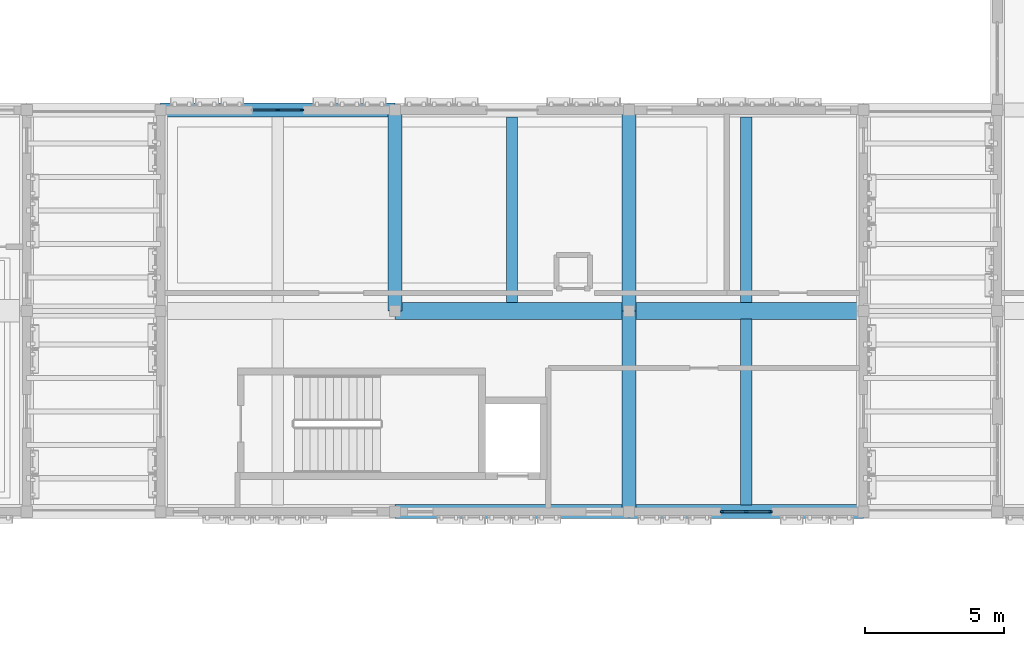
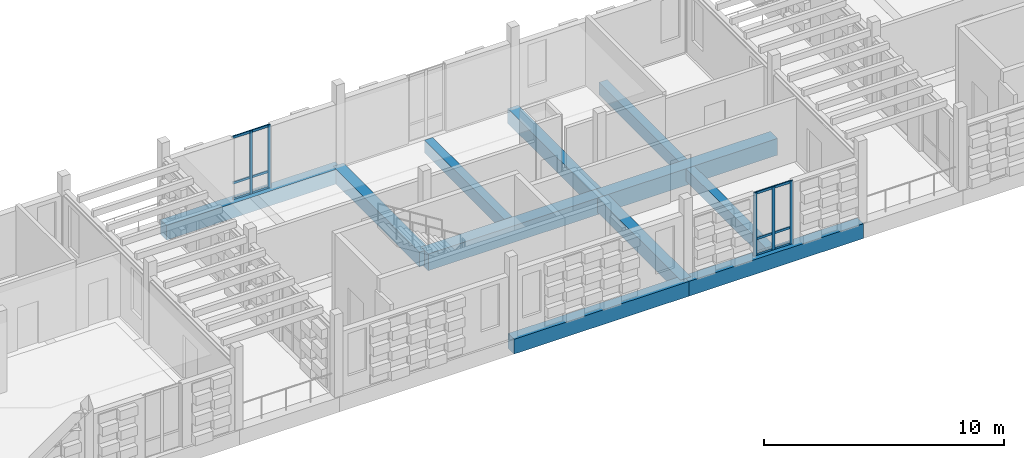
# One storey, part 24 of 99: 11 beams, 11 members, 2 elements without a shape of their own.
"""IFC4 building model written with IfcOpenShell, lengths in metres."""

import ifcopenshell
import ifcopenshell.guid

model = None  # the IFC model being written
_history = None  # IfcOwnerHistory: only IFC2X3 demands one
_inside = {}  # id of a spatial element -> (the spatial element, [elements in it])
_under = {}  # id of a project, library or spatial element -> (it, [spatial elements below it])
_declared = {}  # id of a project -> (the project, [libraries it declares])
_typed = {}  # id of a type object -> (the type object, [elements of that type])
_made_of = {}  # id of a material, layer set ... -> (it, [elements and type objects made of it])


def new_model(schema):
    """Start an empty IFC model of exactly this schema.

    Asked for "IFC4X3", IfcOpenShell would pick the latest addendum, in which some entities
    have other attributes; the version numbers below select the first issue.
    IFC2X3 requires an IfcOwnerHistory on every rooted entity: one is made here for all.
    """
    global model, _history
    if schema == "IFC4X3":
        model = ifcopenshell.file(schema_version=(4, 3, 0, 0))
    else:
        model = ifcopenshell.file(schema=schema)
    _inside.clear()
    _under.clear()
    _declared.clear()
    _typed.clear()
    _made_of.clear()
    _history = None
    if model.schema == "IFC2X3":
        org = make("IfcOrganization", Name="unknown")
        user = make(
            "IfcPersonAndOrganization",
            ThePerson=make("IfcPerson", FamilyName="unknown"),
            TheOrganization=org,
        )
        app = make(
            "IfcApplication",
            ApplicationDeveloper=org,
            Version="unknown",
            ApplicationFullName="unknown",
            ApplicationIdentifier="unknown",
        )
        _history = make(
            "IfcOwnerHistory",
            OwningUser=user,
            OwningApplication=app,
            ChangeAction="ADDED",
            CreationDate=0,
        )
    return model


def make(cls, **values):
    """One entity of the class cls with the attributes given. An attribute that is None is left unset."""
    return model.create_entity(
        cls, **{name: value for name, value in values.items() if value is not None}
    )


def rooted(cls, **values):
    """An entity with a GlobalId (a new one), such as an element, a storey or a relation."""
    return make(cls, GlobalId=ifcopenshell.guid.new(), OwnerHistory=_history, **values)


def si_unit(unit_type, name, prefix=None):
    """IfcSIUnit, for example si_unit("LENGTHUNIT", "METRE", prefix="MILLI")."""
    return make("IfcSIUnit", UnitType=unit_type, Prefix=prefix, Name=name)


def assignment(units):
    """IfcUnitAssignment: the units of a project."""
    return None if units is None else make("IfcUnitAssignment", Units=units)


def point(xyz):
    """IfcCartesianPoint."""
    return None if xyz is None else make("IfcCartesianPoint", Coordinates=xyz)


def direction(xyz):
    """IfcDirection."""
    return None if xyz is None else make("IfcDirection", DirectionRatios=xyz)


def frame(location, z_axis=None, x_axis=None):
    """IfcAxis2Placement3D, a coordinate frame: its origin and axes. An axis left out is left unset."""
    return make(
        "IfcAxis2Placement3D",
        Location=point(location),
        Axis=direction(z_axis),
        RefDirection=direction(x_axis),
    )


def frame_2d(location, x_axis=None):
    """IfcAxis2Placement2D, a coordinate frame in the plane: its origin and x axis."""
    return make(
        "IfcAxis2Placement2D", Location=point(location), RefDirection=direction(x_axis)
    )


def origin():
    """The frame at (0, 0, 0) with its axes left unset."""
    return frame((0.0, 0.0, 0.0))


def origin_2d():
    """The frame at (0, 0) in the plane with its x axis left unset."""
    return frame_2d((0.0, 0.0))


def place(relative_to, where):
    """IfcLocalPlacement: puts the frame where relative to a parent placement (None: the world)."""
    return make(
        "IfcLocalPlacement", PlacementRelTo=relative_to, RelativePlacement=where
    )


def context(
    kind, dimensions, precision=None, world=None, true_north=None, identifier=None
):
    """IfcGeometricRepresentationContext, for example the 3D "Model" context."""
    return make(
        "IfcGeometricRepresentationContext",
        ContextIdentifier=identifier,
        ContextType=kind,
        CoordinateSpaceDimension=dimensions,
        Precision=precision,
        WorldCoordinateSystem=world,
        TrueNorth=true_north,
    )


def subcontext(parent, identifier, kind, view, scale=None):
    """IfcGeometricRepresentationSubContext, for example "Body" below "Model"."""
    return make(
        "IfcGeometricRepresentationSubContext",
        ContextIdentifier=identifier,
        ContextType=kind,
        ParentContext=parent,
        TargetScale=scale,
        TargetView=view,
    )


def project(units=None, contexts=None):
    """IfcProject with its units and contexts."""
    return rooted(
        "IfcProject",
        Name="project",
        RepresentationContexts=contexts,
        UnitsInContext=assignment(units),
    )


def spatial(cls, under=None, at=None, **own):
    """A site, building, storey or space (cls), placed at a placement, below another one or the project."""
    s = rooted(cls, ObjectPlacement=at, **own)
    if under is not None:
        _under.setdefault(under.id(), (under, []))[1].append(s)
    return s


def profile(cls, at=None, kind="AREA", **sizes):
    """A parametric profile (cls). Its sizes go by their IFC names, for example OverallWidth=200.0."""
    return make(cls, ProfileType=kind, Position=at, **sizes)


def rectangle(**sizes):
    """IfcRectangleProfileDef."""
    return profile("IfcRectangleProfileDef", **sizes)


def extrude(swept, where, along, depth):
    """IfcExtrudedAreaSolid: the profile swept, set in the frame where, extruded along a direction by depth."""
    return make(
        "IfcExtrudedAreaSolid",
        SweptArea=swept,
        Position=where,
        ExtrudedDirection=direction(along),
        Depth=depth,
    )


def shape(context_of_items, identifier, shape_type, items):
    """IfcShapeRepresentation: the items that make up one representation, for example the "Body"."""
    return make(
        "IfcShapeRepresentation",
        ContextOfItems=context_of_items,
        RepresentationIdentifier=identifier,
        RepresentationType=shape_type,
        Items=items,
    )


def material(Name=None, Category=None):
    """IfcMaterial."""
    return make("IfcMaterial", Name=Name, Category=Category)


def material_profile(
    of_material, cross_section, Name=None, Category=None, Priority=None
):
    """IfcMaterialProfile: a cross section and its material."""
    return make(
        "IfcMaterialProfile",
        Name=Name,
        Material=of_material,
        Profile=cross_section,
        Priority=Priority,
        Category=Category,
    )


def profile_set(profiles, Name=None, composite=None):
    """IfcMaterialProfileSet."""
    return make(
        "IfcMaterialProfileSet",
        Name=Name,
        MaterialProfiles=profiles,
        CompositeProfile=composite,
    )


def made_of(thing, what):
    """Note that an element or type object is made of a material, layer set ...; save() writes the relation."""
    if what is not None:
        _made_of.setdefault(what.id(), (what, []))[1].append(thing)
    return thing


def type_object(cls, material=None, **own):
    """A type object (cls), such as IfcWallType, which elements share."""
    return made_of(rooted(cls, **own), material)


def element(
    cls,
    number,
    at=None,
    inside=None,
    cuts=None,
    type_object=None,
    material=None,
    context=None,
    identifier="Body",
    shape_type=None,
    held_by="IfcProductDefinitionShape",
    body=None,
    shapes=None,
    **own,
):
    """One element of the class cls, such as IfcWall. Its Tag is "e" and its number.

    at: its placement. inside: the storey or other place that contains it. cuts: it is an
    opening in that element (IfcRelVoidsElement). A single representation is given by context,
    identifier, shape_type and body (its items); several are given by shapes. held_by: the class
    of the entity that holds the representations. save() writes the other relations.
    """
    e = rooted(cls, Tag="e%d" % number, ObjectPlacement=at, **own)
    if body is not None:
        shapes = [shape(context, identifier, shape_type, body)]
    if shapes is not None:
        e.Representation = make(held_by, Representations=shapes)
    if inside is not None:
        _inside.setdefault(inside.id(), (inside, []))[1].append(e)
    if cuts is not None:
        rooted(
            "IfcRelVoidsElement", RelatingBuildingElement=cuts, RelatedOpeningElement=e
        )
    if type_object is not None:
        _typed.setdefault(type_object.id(), (type_object, []))[1].append(e)
    return made_of(e, material)


def aggregate(whole, parts):
    """IfcRelAggregates: a whole, such as a stair, and the parts it consists of."""
    return rooted("IfcRelAggregates", RelatingObject=whole, RelatedObjects=parts)


def save(model, path):
    """Write the relations noted so far, then the file.

    IfcRelAggregates (storeys below a building ...), IfcRelContainedInSpatialStructure (elements
    in a storey), IfcRelDefinesByType, IfcRelAssociatesMaterial and IfcRelDeclares: one each for
    every whole, place, type object, material and project.
    """
    for whole, parts in _under.values():
        aggregate(whole, parts)
    for where, things in _inside.values():
        rooted(
            "IfcRelContainedInSpatialStructure",
            RelatedElements=things,
            RelatingStructure=where,
        )
    for kind, things in _typed.values():
        rooted("IfcRelDefinesByType", RelatedObjects=things, RelatingType=kind)
    for what, things in _made_of.values():
        rooted("IfcRelAssociatesMaterial", RelatedObjects=things, RelatingMaterial=what)
    for by, libraries in _declared.values():
        rooted("IfcRelDeclares", RelatingContext=by, RelatedDefinitions=libraries)
    model.write(path)


model = new_model("IFC4")

# Units and contexts
model_context = context("Model", 3, precision=1e-05, world=origin(), true_north=direction((0.0, 1.0)))
body_context = subcontext(model_context, "Body", "Model", "MODEL_VIEW")
ifc_project = project(units=[si_unit("LENGTHUNIT", "METRE"), si_unit("AREAUNIT", "SQUARE_METRE"), si_unit("VOLUMEUNIT", "CUBIC_METRE"), si_unit("PLANEANGLEUNIT", "RADIAN"), si_unit("MASSUNIT", "GRAM", prefix="KILO")], contexts=[model_context])

# Site, building, storey
site_placement = place(None, origin())
site = spatial("IfcSite", under=ifc_project, at=site_placement, CompositionType="ELEMENT")
building_placement = place(site_placement, origin())
building = spatial("IfcBuilding", under=site, at=building_placement, Name="Kahlenmark Community Centre", CompositionType="ELEMENT")
storey_placement = place(building_placement, frame((0.0, 0.0, 5.39990234375)))
storey = spatial("IfcBuildingStorey", under=building, at=storey_placement, Name="L01", CompositionType="ELEMENT", Elevation=5.39990234375)

# Beams
ifc_material_1 = material(Name="Concrete C35/45", Category="concrete")
ifc_material_profile_1 = material_profile(ifc_material_1, rectangle(XDim=0.5, YDim=0.75, at=origin_2d()), Name="RC 500x750")
ifc_profile_set_1 = profile_set([ifc_material_profile_1], Name="Concrete C35/45")
beam_type_1 = type_object("IfcBeamType", Name="BT-BEAM-RC500x750", PredefinedType="BEAM", material=ifc_profile_set_1)
for number, where, z_axis, x_axis, name in (
    (1, (100.0, 16.0, -0.375), (0.0, 1.0, 0.0), (-1.0, 0.0, 0.0), "L01 beam BG-RC500x750"),
    (2, (108.39990234375, 8.800048828125, -0.375), (0.0, 1.0, 0.0), (-1.0, 0.0, 0.0), "L01 beam BG-RC500x750"),
    (3, (108.39990234375, 16.0, -0.375), (0.0, 1.0, 0.0), (-1.0, 0.0, 0.0), "L01 beam BG-RC500x750"),
):
    element("IfcBeam", number, at=place(storey_placement, frame(where, z_axis=z_axis, x_axis=x_axis)), inside=storey, type_object=beam_type_1, Name=name, PredefinedType="BEAM", context=body_context, shape_type="SweptSolid", body=[
        extrude(rectangle(XDim=0.5, YDim=0.75, at=origin_2d()), origin(), (0.0, 0.0, 1.0), 7.199951171875),
    ])
ifc_material_profile_2 = material_profile(ifc_material_1, rectangle(XDim=0.60009765625, YDim=0.85009765625, at=origin_2d()), Name="RC 600x850")
ifc_profile_set_2 = profile_set([ifc_material_profile_2], Name="Concrete C35/45")
beam_type_2 = type_object("IfcBeamType", Name="BT-BEAM-RC600x850", PredefinedType="BEAM", material=ifc_profile_set_2)
beam_1_placement = place(storey_placement, frame((100.0, 16.0, -0.4248046875), z_axis=(1.0, 0.0, 0.0), x_axis=(0.0, 1.0, 0.0)))
element("IfcBeam", 4, at=beam_1_placement, inside=storey, type_object=beam_type_2, Name="L01 beam BG-RC600x850", PredefinedType="BEAM", context=body_context, shape_type="SweptSolid", body=[
    extrude(rectangle(XDim=0.60009765625, YDim=0.85009765625, at=origin_2d()), origin(), (0.0, 0.0, 1.0), 8.39990234375),
])
beam_2_placement = place(storey_placement, frame((108.39990234375, 16.0, -0.4248046875), z_axis=(1.0, 0.0, 0.0), x_axis=(0.0, 1.0, 0.0)))
element("IfcBeam", 5, at=beam_2_placement, inside=storey, type_object=beam_type_2, Name="L01 beam BG-RC600x850", PredefinedType="BEAM", context=body_context, shape_type="SweptSolid", body=[
    extrude(rectangle(XDim=0.60009765625, YDim=0.85009765625, at=origin_2d()), origin(), (0.0, 0.0, 1.0), 8.400146484375),
])
ifc_material_profile_3 = material_profile(ifc_material_1, rectangle(XDim=0.39990234375, YDim=0.64990234375, at=origin_2d()), Name="RC 400x650")
ifc_profile_set_3 = profile_set([ifc_material_profile_3], Name="Concrete C35/45")
beam_type_3 = type_object("IfcBeamType", Name="BT-JOIST-RC400x650", PredefinedType="JOIST", material=ifc_profile_set_3)
for number, where, z_axis, x_axis, name in (
    (6, (104.199951171875, 16.298095703125, -0.324951171875), (0.0, 1.0, 0.0), (-1.0, 0.0, 0.0), "L01 joist BJ-RC400x650"),
    (7, (112.60009765625, 9.048095703125, -0.324951171875), (0.0, 1.0, 0.0), (-1.0, 0.0, 0.0), "L01 joist BJ-RC400x650"),
    (8, (112.60009765625, 16.298095703125, -0.324951171875), (0.0, 1.0, 0.0), (-1.0, 0.0, 0.0), "L01 joist BJ-RC400x650"),
):
    element("IfcBeam", number, at=place(storey_placement, frame(where, z_axis=z_axis, x_axis=x_axis)), inside=storey, type_object=beam_type_3, Name=name, PredefinedType="JOIST", context=body_context, shape_type="SweptSolid", body=[
        extrude(rectangle(XDim=0.39990234375, YDim=0.64990234375, at=origin_2d()), origin(), (0.0, 0.0, 1.0), 6.65380859375),
    ])
ifc_material_profile_4 = material_profile(ifc_material_1, rectangle(XDim=0.5, YDim=0.75, at=origin_2d()), Name="RC 500x750")
ifc_profile_set_4 = profile_set([ifc_material_profile_4], Name="Concrete C35/45")
beam_type_4 = type_object("IfcBeamType", Name="BT-SPANDREL-RC500x750", PredefinedType="SPANDREL", material=ifc_profile_set_4)
beam_3_placement = place(storey_placement, frame((100.0, 8.800048828125, -0.375), z_axis=(1.0, 0.0, 0.0), x_axis=(0.0, 1.0, 0.0)))
element("IfcBeam", 9, at=beam_3_placement, inside=storey, type_object=beam_type_4, Name="L01 spandrel SP-RC500x750", PredefinedType="SPANDREL", context=body_context, shape_type="SweptSolid", body=[
    extrude(rectangle(XDim=0.5, YDim=0.75, at=origin_2d()), origin(), (0.0, 0.0, 1.0), 8.39990234375),
])
beam_4_placement = place(storey_placement, frame((108.39990234375, 8.800048828125, -0.375), z_axis=(1.0, 0.0, 0.0), x_axis=(0.0, 1.0, 0.0)))
element("IfcBeam", 10, at=beam_4_placement, inside=storey, type_object=beam_type_4, Name="L01 spandrel SP-RC500x750", PredefinedType="SPANDREL", context=body_context, shape_type="SweptSolid", body=[
    extrude(rectangle(XDim=0.5, YDim=0.75, at=origin_2d()), origin(), (0.0, 0.0, 1.0), 8.400146484375),
])
beam_5_placement = place(storey_placement, frame((91.60009765625, 23.199951171875, -0.375), z_axis=(1.0, 0.0, 0.0), x_axis=(0.0, 1.0, 0.0)))
element("IfcBeam", 11, at=beam_5_placement, inside=storey, type_object=beam_type_4, Name="L01 spandrel SP-RC500x750", PredefinedType="SPANDREL", context=body_context, shape_type="SweptSolid", body=[
    extrude(rectangle(XDim=0.5, YDim=0.75, at=origin_2d()), origin(), (0.0, 0.0, 1.0), 8.39990234375),
])

# Curtain wall, members
ifc_material_2 = material(Name="Anodised aluminium unitised curtain wall", Category="aluminium")
curtain_wall_type = type_object("IfcCurtainWallType", Name="CWT-UNIT-180X321", PredefinedType="USERDEFINED", material=ifc_material_2)
curtain_wall_1_placement = place(storey_placement, origin())
curtain_wall_1 = element("IfcCurtainWall", 12, at=curtain_wall_1_placement, inside=storey, type_object=curtain_wall_type, Name="Unitised curtain wall CW-046", ObjectType="UNITISED CURTAIN WALL", PredefinedType="USERDEFINED")
ifc_material_3 = material(Name="Anodised aluminium 6063-T6", Category="aluminium")
ifc_material_profile_5 = material_profile(ifc_material_3, rectangle(XDim=0.06005859375, YDim=0.139892578125, at=origin_2d()), Name="ALU MULLION 60x140")
ifc_profile_set_5 = profile_set([ifc_material_profile_5], Name="Anodised aluminium 6063-T6")
member_type_1 = type_object("IfcMemberType", Name="MT-MUL-140", PredefinedType="MULLION", material=ifc_profile_set_5)
member_1_placement = place(storey_placement, frame((111.72998046875, 8.800048828125, 0.0), z_axis=(0.0, 0.0, 1.0), x_axis=(0.0, 1.0, 0.0)))
member_1 = element("IfcMember", 13, at=member_1_placement, type_object=member_type_1, Name="CW-046 mullion 1", PredefinedType="MULLION", context=body_context, shape_type="SweptSolid", body=[
    extrude(rectangle(XDim=0.06005859375, YDim=0.139892578125, at=origin_2d()), origin(), (0.0, 0.0, 1.0), 3.210205078125),
])
member_2_placement = place(storey_placement, frame((112.60009765625, 8.800048828125, 0.0), z_axis=(0.0, 0.0, 1.0), x_axis=(0.0, 1.0, 0.0)))
member_2 = element("IfcMember", 14, at=member_2_placement, type_object=member_type_1, Name="CW-046 mullion 2", PredefinedType="MULLION", context=body_context, shape_type="SweptSolid", body=[
    extrude(rectangle(XDim=0.06005859375, YDim=0.139892578125, at=origin_2d()), origin(), (0.0, 0.0, 1.0), 3.210205078125),
])
member_3_placement = place(storey_placement, frame((113.469970703125, 8.800048828125, 0.0), z_axis=(0.0, 0.0, 1.0), x_axis=(0.0, 1.0, 0.0)))
member_3 = element("IfcMember", 15, at=member_3_placement, type_object=member_type_1, Name="CW-046 mullion 3", PredefinedType="MULLION", context=body_context, shape_type="SweptSolid", body=[
    extrude(rectangle(XDim=0.06005859375, YDim=0.139892578125, at=origin_2d()), origin(), (0.0, 0.0, 1.0), 3.210205078125),
])

curtain_wall_2_placement = place(storey_placement, origin())
curtain_wall_2 = element("IfcCurtainWall", 16, at=curtain_wall_2_placement, inside=storey, type_object=curtain_wall_type, Name="Unitised curtain wall CW-047", ObjectType="UNITISED CURTAIN WALL", PredefinedType="USERDEFINED")
member_4_placement = place(storey_placement, frame((96.669921875, 23.199951171875, 0.0), z_axis=(0.0, 0.0, 1.0), x_axis=(0.0, -1.0, 0.0)))
member_4 = element("IfcMember", 17, at=member_4_placement, type_object=member_type_1, Name="CW-047 mullion 1", PredefinedType="MULLION", context=body_context, shape_type="SweptSolid", body=[
    extrude(rectangle(XDim=0.06005859375, YDim=0.139892578125, at=origin_2d()), origin(), (0.0, 0.0, 1.0), 3.210205078125),
])
member_5_placement = place(storey_placement, frame((95.800048828125, 23.199951171875, 0.0), z_axis=(0.0, 0.0, 1.0), x_axis=(0.0, -1.0, 0.0)))
member_5 = element("IfcMember", 18, at=member_5_placement, type_object=member_type_1, Name="CW-047 mullion 2", PredefinedType="MULLION", context=body_context, shape_type="SweptSolid", body=[
    extrude(rectangle(XDim=0.06005859375, YDim=0.139892578125, at=origin_2d()), origin(), (0.0, 0.0, 1.0), 3.210205078125),
])

# Member
ifc_material_profile_6 = material_profile(ifc_material_3, rectangle(XDim=0.06005859375, YDim=0.1201171875, at=origin_2d()), Name="ALU TRANSOM 60x120")
ifc_profile_set_6 = profile_set([ifc_material_profile_6], Name="Anodised aluminium 6063-T6")
member_type_2 = type_object("IfcMemberType", Name="MT-TRN-120", PredefinedType="USERDEFINED", material=ifc_profile_set_6)
member_6_placement = place(storey_placement, frame((111.72998046875, 8.800048828125, 0.0400390625), z_axis=(1.0, 0.0, 0.0), x_axis=(0.0, 1.0, 0.0)))
member_6 = element("IfcMember", 19, at=member_6_placement, type_object=member_type_2, Name="CW-046 transom 1", ObjectType="TRANSOM", PredefinedType="USERDEFINED", context=body_context, shape_type="SweptSolid", body=[
    extrude(rectangle(XDim=0.06005859375, YDim=0.1201171875, at=origin_2d()), origin(), (0.0, 0.0, 1.0), 1.739990234375),
])

member_7_placement = place(storey_placement, frame((111.72998046875, 8.800048828125, 0.85009765625), z_axis=(1.0, 0.0, 0.0), x_axis=(0.0, 1.0, 0.0)))
member_7 = element("IfcMember", 20, at=member_7_placement, type_object=member_type_2, Name="CW-046 transom 2", ObjectType="TRANSOM", PredefinedType="USERDEFINED", context=body_context, shape_type="SweptSolid", body=[
    extrude(rectangle(XDim=0.06005859375, YDim=0.1201171875, at=origin_2d()), origin(), (0.0, 0.0, 1.0), 1.739990234375),
])

member_8_placement = place(storey_placement, frame((111.72998046875, 8.800048828125, 3.170166015625), z_axis=(1.0, 0.0, 0.0), x_axis=(0.0, 1.0, 0.0)))
member_8 = element("IfcMember", 21, at=member_8_placement, type_object=member_type_2, Name="CW-046 transom 3", ObjectType="TRANSOM", PredefinedType="USERDEFINED", context=body_context, shape_type="SweptSolid", body=[
    extrude(rectangle(XDim=0.06005859375, YDim=0.1201171875, at=origin_2d()), origin(), (0.0, 0.0, 1.0), 1.739990234375),
])

aggregate(curtain_wall_1, [member_1, member_2, member_3, member_6, member_7, member_8])

member_9_placement = place(storey_placement, frame((96.669921875, 23.199951171875, 0.0400390625), z_axis=(-1.0, 0.0, 0.0), x_axis=(0.0, -1.0, 0.0)))
member_9 = element("IfcMember", 22, at=member_9_placement, type_object=member_type_2, Name="CW-047 transom 1", ObjectType="TRANSOM", PredefinedType="USERDEFINED", context=body_context, shape_type="SweptSolid", body=[
    extrude(rectangle(XDim=0.06005859375, YDim=0.1201171875, at=origin_2d()), origin(), (0.0, 0.0, 1.0), 1.739990234375),
])

member_10_placement = place(storey_placement, frame((96.669921875, 23.199951171875, 0.85009765625), z_axis=(-1.0, 0.0, 0.0), x_axis=(0.0, -1.0, 0.0)))
member_10 = element("IfcMember", 23, at=member_10_placement, type_object=member_type_2, Name="CW-047 transom 2", ObjectType="TRANSOM", PredefinedType="USERDEFINED", context=body_context, shape_type="SweptSolid", body=[
    extrude(rectangle(XDim=0.06005859375, YDim=0.1201171875, at=origin_2d()), origin(), (0.0, 0.0, 1.0), 1.739990234375),
])

member_11_placement = place(storey_placement, frame((96.669921875, 23.199951171875, 3.170166015625), z_axis=(-1.0, 0.0, 0.0), x_axis=(0.0, -1.0, 0.0)))
member_11 = element("IfcMember", 24, at=member_11_placement, type_object=member_type_2, Name="CW-047 transom 3", ObjectType="TRANSOM", PredefinedType="USERDEFINED", context=body_context, shape_type="SweptSolid", body=[
    extrude(rectangle(XDim=0.06005859375, YDim=0.1201171875, at=origin_2d()), origin(), (0.0, 0.0, 1.0), 1.739990234375),
])

aggregate(curtain_wall_2, [member_4, member_5, member_9, member_10, member_11])

save(model, "model.ifc")
